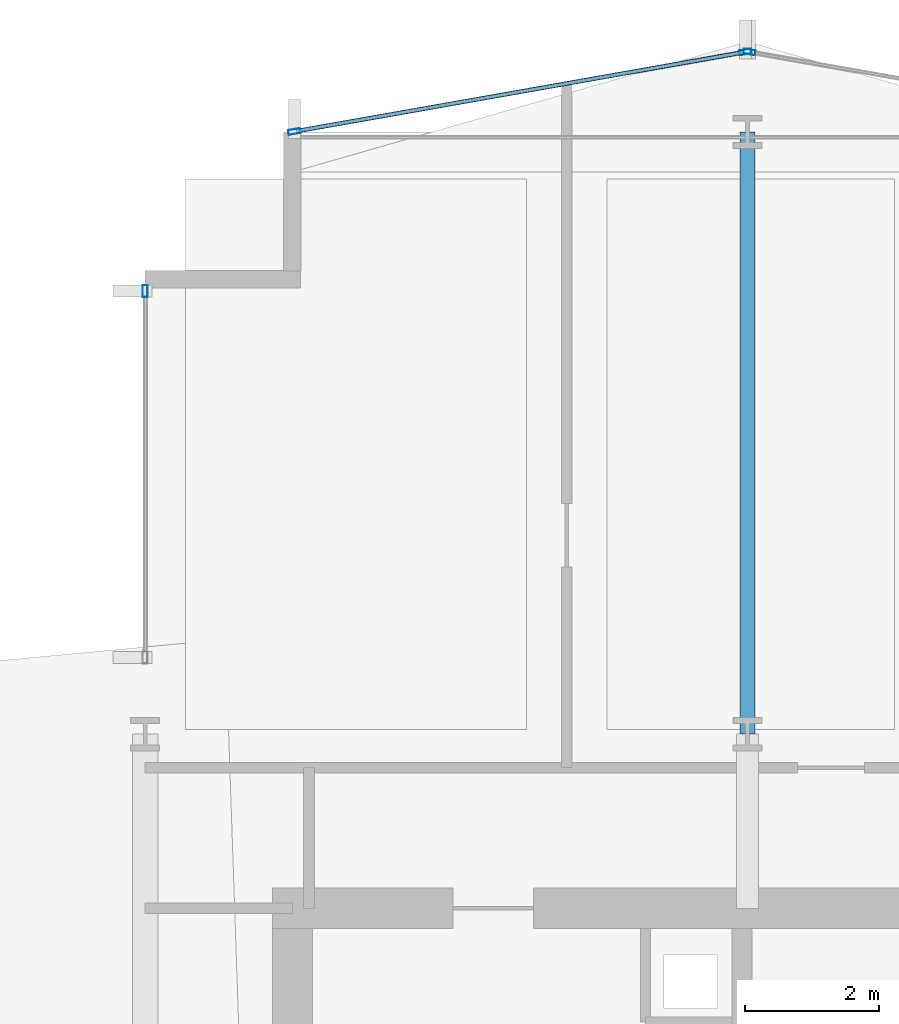
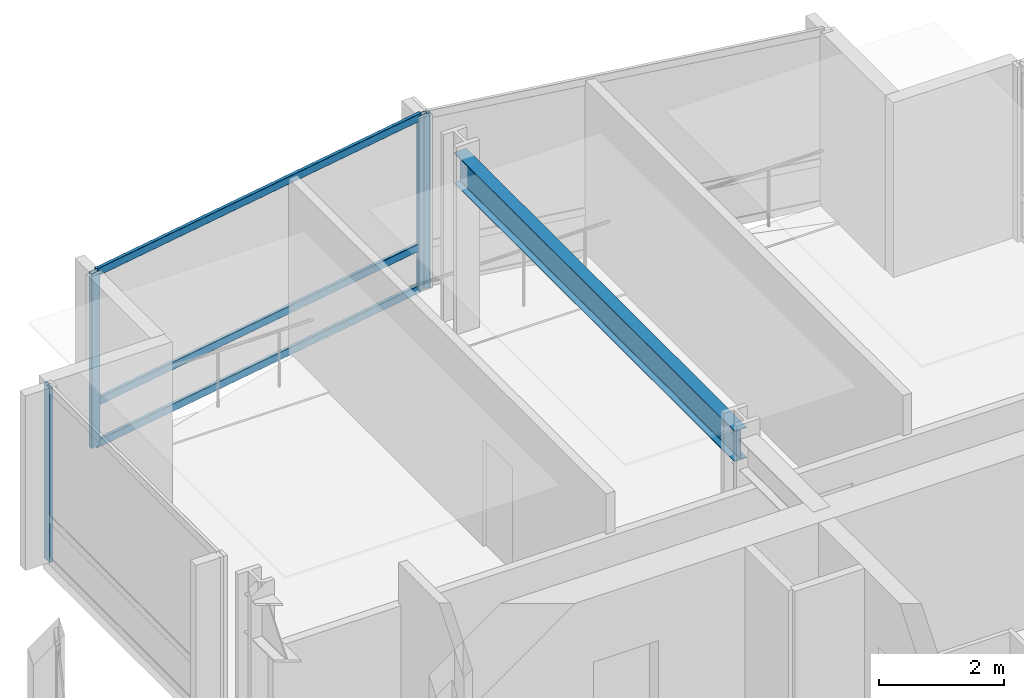
# One storey, part 23 of 34: 7 members, 1 beam, 3 elements without a shape of their own.
"""IFC4 building model written with IfcOpenShell, lengths in metres."""

import ifcopenshell
import ifcopenshell.guid

model = None  # the IFC model being written
_history = None  # IfcOwnerHistory: only IFC2X3 demands one
_inside = {}  # id of a spatial element -> (the spatial element, [elements in it])
_under = {}  # id of a project, library or spatial element -> (it, [spatial elements below it])
_declared = {}  # id of a project -> (the project, [libraries it declares])
_typed = {}  # id of a type object -> (the type object, [elements of that type])
_made_of = {}  # id of a material, layer set ... -> (it, [elements and type objects made of it])


def new_model(schema):
    """Start an empty IFC model of exactly this schema.

    Asked for "IFC4X3", IfcOpenShell would pick the latest addendum, in which some entities
    have other attributes; the version numbers below select the first issue.
    IFC2X3 requires an IfcOwnerHistory on every rooted entity: one is made here for all.
    """
    global model, _history
    if schema == "IFC4X3":
        model = ifcopenshell.file(schema_version=(4, 3, 0, 0))
    else:
        model = ifcopenshell.file(schema=schema)
    _inside.clear()
    _under.clear()
    _declared.clear()
    _typed.clear()
    _made_of.clear()
    _history = None
    if model.schema == "IFC2X3":
        org = make("IfcOrganization", Name="unknown")
        user = make(
            "IfcPersonAndOrganization",
            ThePerson=make("IfcPerson", FamilyName="unknown"),
            TheOrganization=org,
        )
        app = make(
            "IfcApplication",
            ApplicationDeveloper=org,
            Version="unknown",
            ApplicationFullName="unknown",
            ApplicationIdentifier="unknown",
        )
        _history = make(
            "IfcOwnerHistory",
            OwningUser=user,
            OwningApplication=app,
            ChangeAction="ADDED",
            CreationDate=0,
        )
    return model


def make(cls, **values):
    """One entity of the class cls with the attributes given. An attribute that is None is left unset."""
    return model.create_entity(
        cls, **{name: value for name, value in values.items() if value is not None}
    )


def rooted(cls, **values):
    """An entity with a GlobalId (a new one), such as an element, a storey or a relation."""
    return make(cls, GlobalId=ifcopenshell.guid.new(), OwnerHistory=_history, **values)


def si_unit(unit_type, name, prefix=None):
    """IfcSIUnit, for example si_unit("LENGTHUNIT", "METRE", prefix="MILLI")."""
    return make("IfcSIUnit", UnitType=unit_type, Prefix=prefix, Name=name)


def assignment(units):
    """IfcUnitAssignment: the units of a project."""
    return None if units is None else make("IfcUnitAssignment", Units=units)


def point(xyz):
    """IfcCartesianPoint."""
    return None if xyz is None else make("IfcCartesianPoint", Coordinates=xyz)


def direction(xyz):
    """IfcDirection."""
    return None if xyz is None else make("IfcDirection", DirectionRatios=xyz)


def frame(location, z_axis=None, x_axis=None):
    """IfcAxis2Placement3D, a coordinate frame: its origin and axes. An axis left out is left unset."""
    return make(
        "IfcAxis2Placement3D",
        Location=point(location),
        Axis=direction(z_axis),
        RefDirection=direction(x_axis),
    )


def frame_2d(location, x_axis=None):
    """IfcAxis2Placement2D, a coordinate frame in the plane: its origin and x axis."""
    return make(
        "IfcAxis2Placement2D", Location=point(location), RefDirection=direction(x_axis)
    )


def origin():
    """The frame at (0, 0, 0) with its axes left unset."""
    return frame((0.0, 0.0, 0.0))


def origin_2d():
    """The frame at (0, 0) in the plane with its x axis left unset."""
    return frame_2d((0.0, 0.0))


def place(relative_to, where):
    """IfcLocalPlacement: puts the frame where relative to a parent placement (None: the world)."""
    return make(
        "IfcLocalPlacement", PlacementRelTo=relative_to, RelativePlacement=where
    )


def context(
    kind, dimensions, precision=None, world=None, true_north=None, identifier=None
):
    """IfcGeometricRepresentationContext, for example the 3D "Model" context."""
    return make(
        "IfcGeometricRepresentationContext",
        ContextIdentifier=identifier,
        ContextType=kind,
        CoordinateSpaceDimension=dimensions,
        Precision=precision,
        WorldCoordinateSystem=world,
        TrueNorth=true_north,
    )


def subcontext(parent, identifier, kind, view, scale=None):
    """IfcGeometricRepresentationSubContext, for example "Body" below "Model"."""
    return make(
        "IfcGeometricRepresentationSubContext",
        ContextIdentifier=identifier,
        ContextType=kind,
        ParentContext=parent,
        TargetScale=scale,
        TargetView=view,
    )


def project(units=None, contexts=None):
    """IfcProject with its units and contexts."""
    return rooted(
        "IfcProject",
        Name="project",
        RepresentationContexts=contexts,
        UnitsInContext=assignment(units),
    )


def spatial(cls, under=None, at=None, **own):
    """A site, building, storey or space (cls), placed at a placement, below another one or the project."""
    s = rooted(cls, ObjectPlacement=at, **own)
    if under is not None:
        _under.setdefault(under.id(), (under, []))[1].append(s)
    return s


def profile(cls, at=None, kind="AREA", **sizes):
    """A parametric profile (cls). Its sizes go by their IFC names, for example OverallWidth=200.0."""
    return make(cls, ProfileType=kind, Position=at, **sizes)


def hollow_rectangle(**sizes):
    """IfcRectangleHollowProfileDef."""
    return profile("IfcRectangleHollowProfileDef", **sizes)


def i_section(**sizes):
    """IfcIShapeProfileDef."""
    return profile("IfcIShapeProfileDef", **sizes)


def extrude(swept, where, along, depth):
    """IfcExtrudedAreaSolid: the profile swept, set in the frame where, extruded along a direction by depth."""
    return make(
        "IfcExtrudedAreaSolid",
        SweptArea=swept,
        Position=where,
        ExtrudedDirection=direction(along),
        Depth=depth,
    )


def shape(context_of_items, identifier, shape_type, items):
    """IfcShapeRepresentation: the items that make up one representation, for example the "Body"."""
    return make(
        "IfcShapeRepresentation",
        ContextOfItems=context_of_items,
        RepresentationIdentifier=identifier,
        RepresentationType=shape_type,
        Items=items,
    )


def material(Name=None, Category=None):
    """IfcMaterial."""
    return make("IfcMaterial", Name=Name, Category=Category)


def layer(
    of_material, thickness, ventilated=None, Name=None, Category=None, Priority=None
):
    """IfcMaterialLayer: one layer of a wall or slab, of a material (None: an air gap)."""
    return make(
        "IfcMaterialLayer",
        Material=of_material,
        LayerThickness=thickness,
        IsVentilated=ventilated,
        Name=Name,
        Category=Category,
        Priority=Priority,
    )


def layer_set(layers, Name=None):
    """IfcMaterialLayerSet."""
    return make("IfcMaterialLayerSet", MaterialLayers=layers, LayerSetName=Name)


def material_profile(
    of_material, cross_section, Name=None, Category=None, Priority=None
):
    """IfcMaterialProfile: a cross section and its material."""
    return make(
        "IfcMaterialProfile",
        Name=Name,
        Material=of_material,
        Profile=cross_section,
        Priority=Priority,
        Category=Category,
    )


def profile_set(profiles, Name=None, composite=None):
    """IfcMaterialProfileSet."""
    return make(
        "IfcMaterialProfileSet",
        Name=Name,
        MaterialProfiles=profiles,
        CompositeProfile=composite,
    )


def made_of(thing, what):
    """Note that an element or type object is made of a material, layer set ...; save() writes the relation."""
    if what is not None:
        _made_of.setdefault(what.id(), (what, []))[1].append(thing)
    return thing


def type_object(cls, material=None, **own):
    """A type object (cls), such as IfcWallType, which elements share."""
    return made_of(rooted(cls, **own), material)


def element(
    cls,
    number,
    at=None,
    inside=None,
    cuts=None,
    type_object=None,
    material=None,
    context=None,
    identifier="Body",
    shape_type=None,
    held_by="IfcProductDefinitionShape",
    body=None,
    shapes=None,
    **own,
):
    """One element of the class cls, such as IfcWall. Its Tag is "e" and its number.

    at: its placement. inside: the storey or other place that contains it. cuts: it is an
    opening in that element (IfcRelVoidsElement). A single representation is given by context,
    identifier, shape_type and body (its items); several are given by shapes. held_by: the class
    of the entity that holds the representations. save() writes the other relations.
    """
    e = rooted(cls, Tag="e%d" % number, ObjectPlacement=at, **own)
    if body is not None:
        shapes = [shape(context, identifier, shape_type, body)]
    if shapes is not None:
        e.Representation = make(held_by, Representations=shapes)
    if inside is not None:
        _inside.setdefault(inside.id(), (inside, []))[1].append(e)
    if cuts is not None:
        rooted(
            "IfcRelVoidsElement", RelatingBuildingElement=cuts, RelatedOpeningElement=e
        )
    if type_object is not None:
        _typed.setdefault(type_object.id(), (type_object, []))[1].append(e)
    return made_of(e, material)


def aggregate(whole, parts):
    """IfcRelAggregates: a whole, such as a stair, and the parts it consists of."""
    return rooted("IfcRelAggregates", RelatingObject=whole, RelatedObjects=parts)


def save(model, path):
    """Write the relations noted so far, then the file.

    IfcRelAggregates (storeys below a building ...), IfcRelContainedInSpatialStructure (elements
    in a storey), IfcRelDefinesByType, IfcRelAssociatesMaterial and IfcRelDeclares: one each for
    every whole, place, type object, material and project.
    """
    for whole, parts in _under.values():
        aggregate(whole, parts)
    for where, things in _inside.values():
        rooted(
            "IfcRelContainedInSpatialStructure",
            RelatedElements=things,
            RelatingStructure=where,
        )
    for kind, things in _typed.values():
        rooted("IfcRelDefinesByType", RelatedObjects=things, RelatingType=kind)
    for what, things in _made_of.values():
        rooted("IfcRelAssociatesMaterial", RelatedObjects=things, RelatingMaterial=what)
    for by, libraries in _declared.values():
        rooted("IfcRelDeclares", RelatingContext=by, RelatedDefinitions=libraries)
    model.write(path)


model = new_model("IFC4")

# Units and contexts
model_context = context("Model", 3, precision=1e-05, world=origin(), true_north=direction((0.0, 1.0)))
body_context = subcontext(model_context, "Body", "Model", "MODEL_VIEW")
ifc_project = project(units=[si_unit("LENGTHUNIT", "METRE"), si_unit("AREAUNIT", "SQUARE_METRE"), si_unit("VOLUMEUNIT", "CUBIC_METRE"), si_unit("PLANEANGLEUNIT", "RADIAN"), si_unit("MASSUNIT", "GRAM", prefix="KILO")], contexts=[model_context])

# Site, building, storey
site_placement = place(None, origin())
site = spatial("IfcSite", under=ifc_project, at=site_placement, CompositionType="ELEMENT")
building_placement = place(site_placement, origin())
building = spatial("IfcBuilding", under=site, at=building_placement, Name="Solvaryn Broadcast Tower", CompositionType="ELEMENT")
storey_placement = place(building_placement, frame((0.0, 0.0, 36.0)))
storey = spatial("IfcBuildingStorey", under=building, at=storey_placement, Name="L07", CompositionType="ELEMENT", Elevation=36.0)

# Beam
ifc_material_1 = material(Name="Steel ASTM A992 Grade 50", Category="steel")
ifc_material_profile_1 = material_profile(ifc_material_1, i_section(OverallWidth=0.22802734375, OverallDepth=0.60791015625, WebThickness=0.01123046875, FlangeThickness=0.017333984375, FilletRadius=0.014892578125, at=origin_2d()))
ifc_profile_set_1 = profile_set([ifc_material_profile_1], Name="Steel ASTM A992 Grade 50")
beam_type = type_object("IfcBeamType", Name="BM-B2-W24X76", PredefinedType="BEAM", material=ifc_profile_set_1)
beam_placement = place(storey_placement, frame((18.0, 45.0, 3.115966796875), z_axis=(0.0, 1.0, 0.0), x_axis=(-1.0, 0.0, 0.0)))
element("IfcBeam", 1, at=beam_placement, inside=storey, type_object=beam_type, Name="L07 Primary Beam Y (45-54 @ X=18)", PredefinedType="BEAM", context=body_context, shape_type="SweptSolid", body=[
    extrude(i_section(OverallWidth=0.22802734375, OverallDepth=0.60791015625, WebThickness=0.01123046875, FlangeThickness=0.017333984375, FilletRadius=0.014892578125, at=origin_2d()), origin(), (0.0, 0.0, 1.0), 9.0),
])

# Curtain wall, member
ifc_material_2 = material(Name="Aluminium and Terracotta Unitised Curtain Wall", Category="masonry")
ifc_layer = layer(ifc_material_2, 0.199951171875)
ifc_layer_set = layer_set([ifc_layer], Name="CW-SYS2-LOWMID")
curtain_wall_type = type_object("IfcCurtainWallType", Name="CW-SYS2-LOWMID", PredefinedType="NOTDEFINED", material=ifc_layer_set)
curtain_wall_1_placement = place(storey_placement, origin())
curtain_wall_1 = element("IfcCurtainWall", 2, at=curtain_wall_1_placement, inside=storey, type_object=curtain_wall_type, Name="L07 Curtain Wall W2", PredefinedType="NOTDEFINED")
ifc_material_3 = material(Name="Anodised Aluminium 6063-T6", Category="aluminium")
ifc_material_profile_2 = material_profile(ifc_material_3, hollow_rectangle(XDim=0.074951171875, YDim=0.179931640625, WallThickness=0.00390625, InnerFilletRadius=0.00390625, OuterFilletRadius=0.008056640625, at=origin_2d()))
ifc_profile_set_2 = profile_set([ifc_material_profile_2], Name="Anodised Aluminium 6063-T6")
member_type_1 = type_object("IfcMemberType", Name="CW-MUL-180", PredefinedType="MULLION", material=ifc_profile_set_2)
member_1_placement = place(storey_placement, frame((9.0, 51.6201171875, 0.0), z_axis=(0.0, 0.0, 1.0), x_axis=(-1.0, 0.0, 0.0)))
member_1 = element("IfcMember", 3, at=member_1_placement, type_object=member_type_1, Name="CWS2 mullion 2", PredefinedType="MULLION", context=body_context, shape_type="SweptSolid", body=[
    extrude(hollow_rectangle(XDim=0.074951171875, YDim=0.179931640625, WallThickness=0.00390625, InnerFilletRadius=0.00390625, OuterFilletRadius=0.008056640625, at=origin_2d()), origin(), (0.0, 0.0, 1.0), 3.419921875),
])
aggregate(curtain_wall_1, [member_1])

curtain_wall_2_placement = place(storey_placement, origin())
curtain_wall_2 = element("IfcCurtainWall", 4, at=curtain_wall_2_placement, inside=storey, type_object=curtain_wall_type, Name="L07 Curtain Wall NT1", PredefinedType="NOTDEFINED")
member_2_placement = place(storey_placement, frame((18.029541015625, 55.19482421875, 0.0), z_axis=(0.0, 0.0, 1.0), x_axis=(-0.173785333901, -0.984783558819, 0.0)))
member_2 = element("IfcMember", 5, at=member_2_placement, type_object=member_type_1, Name="CWS2 mullion 2", PredefinedType="MULLION", context=body_context, shape_type="SweptSolid", body=[
    extrude(hollow_rectangle(XDim=0.074951171875, YDim=0.179931640625, WallThickness=0.00390625, InnerFilletRadius=0.00390625, OuterFilletRadius=0.008056640625, at=origin_2d()), origin(), (0.0, 0.0, 1.0), 3.419921875),
])
aggregate(curtain_wall_2, [member_2])

# Curtain wall, members
curtain_wall_3_placement = place(storey_placement, origin())
curtain_wall_3 = element("IfcCurtainWall", 6, at=curtain_wall_3_placement, inside=storey, type_object=curtain_wall_type, Name="L07 Curtain Wall NT2", PredefinedType="NOTDEFINED")
member_3_placement = place(storey_placement, frame((17.970458984375, 55.19482421875, 0.0), z_axis=(0.0, 0.0, 1.0), x_axis=(0.173785333901, -0.984783558819, 0.0)))
member_3 = element("IfcMember", 7, at=member_3_placement, type_object=member_type_1, Name="CWS2 mullion 1", PredefinedType="MULLION", context=body_context, shape_type="SweptSolid", body=[
    extrude(hollow_rectangle(XDim=0.074951171875, YDim=0.179931640625, WallThickness=0.00390625, InnerFilletRadius=0.00390625, OuterFilletRadius=0.008056640625, at=origin_2d()), origin(), (0.0, 0.0, 1.0), 3.419921875),
])
member_4_placement = place(storey_placement, frame((11.2294921875, 54.005126953125, 0.0), z_axis=(0.0, 0.0, 1.0), x_axis=(0.173785333901, -0.984783558819, 0.0)))
member_4 = element("IfcMember", 8, at=member_4_placement, type_object=member_type_1, Name="CWS2 mullion 2", PredefinedType="MULLION", context=body_context, shape_type="SweptSolid", body=[
    extrude(hollow_rectangle(XDim=0.074951171875, YDim=0.179931640625, WallThickness=0.00390625, InnerFilletRadius=0.00390625, OuterFilletRadius=0.008056640625, at=origin_2d()), origin(), (0.0, 0.0, 1.0), 3.419921875),
])
ifc_material_4 = material(Name="Anodised Aluminium 6063-T6", Category="aluminium")
ifc_material_profile_3 = material_profile(ifc_material_4, hollow_rectangle(XDim=0.06494140625, YDim=0.14990234375, WallThickness=0.00390625, InnerFilletRadius=0.00390625, OuterFilletRadius=0.008056640625, at=origin_2d()))
ifc_profile_set_3 = profile_set([ifc_material_profile_3], Name="Anodised Aluminium 6063-T6")
member_type_2 = type_object("IfcMemberType", Name="CW-TRN-150", PredefinedType="USERDEFINED", material=ifc_profile_set_3)
member_5_placement = place(storey_placement, frame((17.94091796875, 55.189453125, 0.030029296875), z_axis=(-0.984788629673, -0.173756596613, 0.0), x_axis=(0.173756596613, -0.984788629673, 0.0)))
member_5 = element("IfcMember", 9, at=member_5_placement, type_object=member_type_2, Name="CWS2 transom 1.1", ObjectType="TRANSOM", PredefinedType="USERDEFINED", context=body_context, shape_type="SweptSolid", body=[
    extrude(hollow_rectangle(XDim=0.06494140625, YDim=0.14990234375, WallThickness=0.00390625, InnerFilletRadius=0.00390625, OuterFilletRadius=0.008056640625, at=origin_2d()), origin(), (0.0, 0.0, 1.0), 6.78515625),
])
member_6_placement = place(storey_placement, frame((17.94091796875, 55.189453125, 0.85009765625), z_axis=(-0.984788629673, -0.173756596613, 0.0), x_axis=(0.173756596613, -0.984788629673, 0.0)))
member_6 = element("IfcMember", 10, at=member_6_placement, type_object=member_type_2, Name="CWS2 transom 1.2", ObjectType="TRANSOM", PredefinedType="USERDEFINED", context=body_context, shape_type="SweptSolid", body=[
    extrude(hollow_rectangle(XDim=0.06494140625, YDim=0.14990234375, WallThickness=0.00390625, InnerFilletRadius=0.00390625, OuterFilletRadius=0.008056640625, at=origin_2d()), origin(), (0.0, 0.0, 1.0), 6.78515625),
])
member_7_placement = place(storey_placement, frame((17.94091796875, 55.189453125, 3.389892578125), z_axis=(-0.984788629673, -0.173756596613, 0.0), x_axis=(0.173756596613, -0.984788629673, 0.0)))
member_7 = element("IfcMember", 11, at=member_7_placement, type_object=member_type_2, Name="CWS2 transom 1.3", ObjectType="TRANSOM", PredefinedType="USERDEFINED", context=body_context, shape_type="SweptSolid", body=[
    extrude(hollow_rectangle(XDim=0.06494140625, YDim=0.14990234375, WallThickness=0.00390625, InnerFilletRadius=0.00390625, OuterFilletRadius=0.008056640625, at=origin_2d()), origin(), (0.0, 0.0, 1.0), 6.78515625),
])
aggregate(curtain_wall_3, [member_3, member_4, member_5, member_6, member_7])

save(model, "model.ifc")
